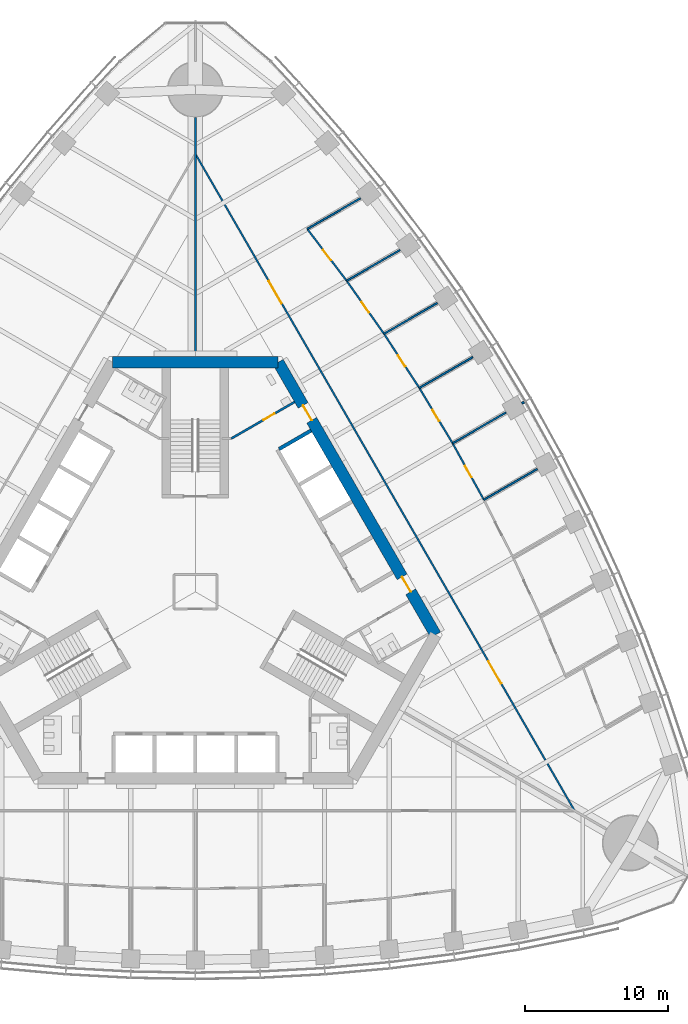
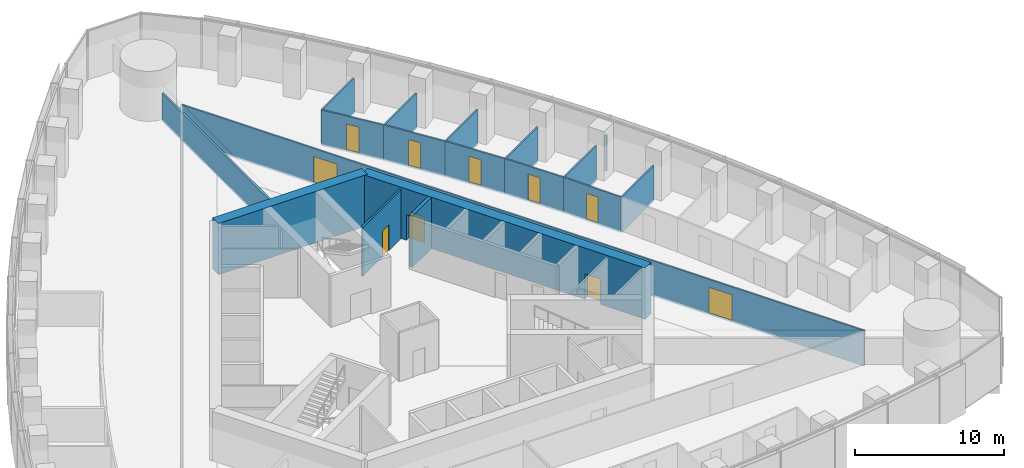
# One storey, part 15 of 21: 18 walls, 10 doors, 10 openings.
"""IFC4 building model written with IfcOpenShell, lengths in metres."""

import ifcopenshell
import ifcopenshell.guid

model = None  # the IFC model being written
_history = None  # IfcOwnerHistory: only IFC2X3 demands one
_inside = {}  # id of a spatial element -> (the spatial element, [elements in it])
_under = {}  # id of a project, library or spatial element -> (it, [spatial elements below it])
_declared = {}  # id of a project -> (the project, [libraries it declares])
_typed = {}  # id of a type object -> (the type object, [elements of that type])
_made_of = {}  # id of a material, layer set ... -> (it, [elements and type objects made of it])


def new_model(schema):
    """Start an empty IFC model of exactly this schema.

    Asked for "IFC4X3", IfcOpenShell would pick the latest addendum, in which some entities
    have other attributes; the version numbers below select the first issue.
    IFC2X3 requires an IfcOwnerHistory on every rooted entity: one is made here for all.
    """
    global model, _history
    if schema == "IFC4X3":
        model = ifcopenshell.file(schema_version=(4, 3, 0, 0))
    else:
        model = ifcopenshell.file(schema=schema)
    _inside.clear()
    _under.clear()
    _declared.clear()
    _typed.clear()
    _made_of.clear()
    _history = None
    if model.schema == "IFC2X3":
        org = make("IfcOrganization", Name="unknown")
        user = make(
            "IfcPersonAndOrganization",
            ThePerson=make("IfcPerson", FamilyName="unknown"),
            TheOrganization=org,
        )
        app = make(
            "IfcApplication",
            ApplicationDeveloper=org,
            Version="unknown",
            ApplicationFullName="unknown",
            ApplicationIdentifier="unknown",
        )
        _history = make(
            "IfcOwnerHistory",
            OwningUser=user,
            OwningApplication=app,
            ChangeAction="ADDED",
            CreationDate=0,
        )
    return model


def make(cls, **values):
    """One entity of the class cls with the attributes given. An attribute that is None is left unset."""
    return model.create_entity(
        cls, **{name: value for name, value in values.items() if value is not None}
    )


def rooted(cls, **values):
    """An entity with a GlobalId (a new one), such as an element, a storey or a relation."""
    return make(cls, GlobalId=ifcopenshell.guid.new(), OwnerHistory=_history, **values)


def si_unit(unit_type, name, prefix=None):
    """IfcSIUnit, for example si_unit("LENGTHUNIT", "METRE", prefix="MILLI")."""
    return make("IfcSIUnit", UnitType=unit_type, Prefix=prefix, Name=name)


def assignment(units):
    """IfcUnitAssignment: the units of a project."""
    return None if units is None else make("IfcUnitAssignment", Units=units)


def point(xyz):
    """IfcCartesianPoint."""
    return None if xyz is None else make("IfcCartesianPoint", Coordinates=xyz)


def direction(xyz):
    """IfcDirection."""
    return None if xyz is None else make("IfcDirection", DirectionRatios=xyz)


def frame(location, z_axis=None, x_axis=None):
    """IfcAxis2Placement3D, a coordinate frame: its origin and axes. An axis left out is left unset."""
    return make(
        "IfcAxis2Placement3D",
        Location=point(location),
        Axis=direction(z_axis),
        RefDirection=direction(x_axis),
    )


def frame_2d(location, x_axis=None):
    """IfcAxis2Placement2D, a coordinate frame in the plane: its origin and x axis."""
    return make(
        "IfcAxis2Placement2D", Location=point(location), RefDirection=direction(x_axis)
    )


def origin():
    """The frame at (0, 0, 0) with its axes left unset."""
    return frame((0.0, 0.0, 0.0))


def place(relative_to, where):
    """IfcLocalPlacement: puts the frame where relative to a parent placement (None: the world)."""
    return make(
        "IfcLocalPlacement", PlacementRelTo=relative_to, RelativePlacement=where
    )


def context(
    kind, dimensions, precision=None, world=None, true_north=None, identifier=None
):
    """IfcGeometricRepresentationContext, for example the 3D "Model" context."""
    return make(
        "IfcGeometricRepresentationContext",
        ContextIdentifier=identifier,
        ContextType=kind,
        CoordinateSpaceDimension=dimensions,
        Precision=precision,
        WorldCoordinateSystem=world,
        TrueNorth=true_north,
    )


def subcontext(parent, identifier, kind, view, scale=None):
    """IfcGeometricRepresentationSubContext, for example "Body" below "Model"."""
    return make(
        "IfcGeometricRepresentationSubContext",
        ContextIdentifier=identifier,
        ContextType=kind,
        ParentContext=parent,
        TargetScale=scale,
        TargetView=view,
    )


def project(units=None, contexts=None):
    """IfcProject with its units and contexts."""
    return rooted(
        "IfcProject",
        Name="project",
        RepresentationContexts=contexts,
        UnitsInContext=assignment(units),
    )


def spatial(cls, under=None, at=None, **own):
    """A site, building, storey or space (cls), placed at a placement, below another one or the project."""
    s = rooted(cls, ObjectPlacement=at, **own)
    if under is not None:
        _under.setdefault(under.id(), (under, []))[1].append(s)
    return s


def profile(cls, at=None, kind="AREA", **sizes):
    """A parametric profile (cls). Its sizes go by their IFC names, for example OverallWidth=200.0."""
    return make(cls, ProfileType=kind, Position=at, **sizes)


def rectangle(**sizes):
    """IfcRectangleProfileDef."""
    return profile("IfcRectangleProfileDef", **sizes)


def extrude(swept, where, along, depth):
    """IfcExtrudedAreaSolid: the profile swept, set in the frame where, extruded along a direction by depth."""
    return make(
        "IfcExtrudedAreaSolid",
        SweptArea=swept,
        Position=where,
        ExtrudedDirection=direction(along),
        Depth=depth,
    )


def shape(context_of_items, identifier, shape_type, items):
    """IfcShapeRepresentation: the items that make up one representation, for example the "Body"."""
    return make(
        "IfcShapeRepresentation",
        ContextOfItems=context_of_items,
        RepresentationIdentifier=identifier,
        RepresentationType=shape_type,
        Items=items,
    )


def material(Name=None, Category=None):
    """IfcMaterial."""
    return make("IfcMaterial", Name=Name, Category=Category)


def layer(
    of_material, thickness, ventilated=None, Name=None, Category=None, Priority=None
):
    """IfcMaterialLayer: one layer of a wall or slab, of a material (None: an air gap)."""
    return make(
        "IfcMaterialLayer",
        Material=of_material,
        LayerThickness=thickness,
        IsVentilated=ventilated,
        Name=Name,
        Category=Category,
        Priority=Priority,
    )


def layer_set(layers, Name=None):
    """IfcMaterialLayerSet."""
    return make("IfcMaterialLayerSet", MaterialLayers=layers, LayerSetName=Name)


def made_of(thing, what):
    """Note that an element or type object is made of a material, layer set ...; save() writes the relation."""
    if what is not None:
        _made_of.setdefault(what.id(), (what, []))[1].append(thing)
    return thing


def type_object(cls, material=None, **own):
    """A type object (cls), such as IfcWallType, which elements share."""
    return made_of(rooted(cls, **own), material)


def element(
    cls,
    number,
    at=None,
    inside=None,
    cuts=None,
    type_object=None,
    material=None,
    context=None,
    identifier="Body",
    shape_type=None,
    held_by="IfcProductDefinitionShape",
    body=None,
    shapes=None,
    **own,
):
    """One element of the class cls, such as IfcWall. Its Tag is "e" and its number.

    at: its placement. inside: the storey or other place that contains it. cuts: it is an
    opening in that element (IfcRelVoidsElement). A single representation is given by context,
    identifier, shape_type and body (its items); several are given by shapes. held_by: the class
    of the entity that holds the representations. save() writes the other relations.
    """
    e = rooted(cls, Tag="e%d" % number, ObjectPlacement=at, **own)
    if body is not None:
        shapes = [shape(context, identifier, shape_type, body)]
    if shapes is not None:
        e.Representation = make(held_by, Representations=shapes)
    if inside is not None:
        _inside.setdefault(inside.id(), (inside, []))[1].append(e)
    if cuts is not None:
        rooted(
            "IfcRelVoidsElement", RelatingBuildingElement=cuts, RelatedOpeningElement=e
        )
    if type_object is not None:
        _typed.setdefault(type_object.id(), (type_object, []))[1].append(e)
    return made_of(e, material)


def fill(opening, filler):
    """IfcRelFillsElement: the door or window that sits in an opening."""
    return rooted(
        "IfcRelFillsElement",
        RelatingOpeningElement=opening,
        RelatedBuildingElement=filler,
    )


def aggregate(whole, parts):
    """IfcRelAggregates: a whole, such as a stair, and the parts it consists of."""
    return rooted("IfcRelAggregates", RelatingObject=whole, RelatedObjects=parts)


def save(model, path):
    """Write the relations noted so far, then the file.

    IfcRelAggregates (storeys below a building ...), IfcRelContainedInSpatialStructure (elements
    in a storey), IfcRelDefinesByType, IfcRelAssociatesMaterial and IfcRelDeclares: one each for
    every whole, place, type object, material and project.
    """
    for whole, parts in _under.values():
        aggregate(whole, parts)
    for where, things in _inside.values():
        rooted(
            "IfcRelContainedInSpatialStructure",
            RelatedElements=things,
            RelatingStructure=where,
        )
    for kind, things in _typed.values():
        rooted("IfcRelDefinesByType", RelatedObjects=things, RelatingType=kind)
    for what, things in _made_of.values():
        rooted("IfcRelAssociatesMaterial", RelatedObjects=things, RelatingMaterial=what)
    for by, libraries in _declared.values():
        rooted("IfcRelDeclares", RelatingContext=by, RelatedDefinitions=libraries)
    model.write(path)


model = new_model("IFC4")

# Units and contexts
model_context = context("Model", 3, precision=1e-05, world=origin(), true_north=direction((0.0, 1.0)))
body_context = subcontext(model_context, "Body", "Model", "MODEL_VIEW")
ifc_project = project(units=[si_unit("LENGTHUNIT", "METRE"), si_unit("AREAUNIT", "SQUARE_METRE"), si_unit("VOLUMEUNIT", "CUBIC_METRE"), si_unit("PLANEANGLEUNIT", "RADIAN"), si_unit("MASSUNIT", "GRAM", prefix="KILO")], contexts=[model_context])

# Site, building, storey
site_placement = place(None, origin())
site = spatial("IfcSite", under=ifc_project, at=site_placement, CompositionType="ELEMENT")
building_placement = place(site_placement, origin())
building = spatial("IfcBuilding", under=site, at=building_placement, Name="Trefoil Bronze Tower", CompositionType="ELEMENT")
storey_placement = place(building_placement, frame((0.0, 0.0, 149.300048828125)))
storey = spatial("IfcBuildingStorey", under=building, at=storey_placement, Name="L34", CompositionType="ELEMENT", Elevation=149.300048828125)

# Wall, openings, doors
ifc_material_1 = material(Name="Concrete B80", Category="concrete")
ifc_layer_1 = layer(ifc_material_1, 0.800048828125)
ifc_layer_set_1 = layer_set([ifc_layer_1], Name="Core wall 800")
wall_type_1 = type_object("IfcWallType", Name="Core wall 800", PredefinedType="SHEAR", material=ifc_layer_set_1)
wall_1_placement = place(storey_placement, frame((16.7431640625, -3.0, 0.0), z_axis=(0.0, 0.0, 1.0), x_axis=(-0.500002442456, 0.866023993627, 0.0)))
wall_1 = element("IfcWall", 1, at=wall_1_placement, inside=storey, type_object=wall_type_1, Name="Core long wall 2 L34", PredefinedType="SHEAR", context=body_context, shape_type="SweptSolid", body=[
    extrude(rectangle(XDim=21.939453125, YDim=0.800048828125, at=frame_2d((10.9697265625, 0.0))), origin(), (0.0, 0.0, 1.0), 4.199951171875),
])
opening_1_placement = place(wall_1_placement, frame((17.269775390625, 0.0, 0.0)))
opening_1 = element("IfcOpeningElement", 2, at=opening_1_placement, cuts=wall_1, Name="Opening D2", PredefinedType="OPENING", context=body_context, shape_type="SweptSolid", body=[
    extrude(rectangle(XDim=1.199951171875, YDim=2.10009765625, at=frame_2d((0.60009765625, 1.050048828125))), frame((0.0, 0.409912109375, 0.0), z_axis=(0.0, -1.0, 0.0), x_axis=(1.0, 0.0, 0.0)), (0.0, 0.0, 1.0), 0.820068359375),
])
opening_2_placement = place(wall_1_placement, frame((3.4697265625, 0.0, 0.0)))
opening_2 = element("IfcOpeningElement", 3, at=opening_2_placement, cuts=wall_1, Name="Opening D2", PredefinedType="OPENING", context=body_context, shape_type="SweptSolid", body=[
    extrude(rectangle(XDim=1.199951171875, YDim=2.10009765625, at=frame_2d((0.60009765625, 1.050048828125))), frame((0.0, 0.409912109375, 0.0), z_axis=(0.0, -1.0, 0.0), x_axis=(1.0, 0.0, 0.0)), (0.0, 0.0, 1.0), 0.820068359375),
])
ifc_material_2 = material(Name="Steel door", Category="steel")
door_type_1 = type_object("IfcDoorType", Name="Lobby door 1200", OperationType="SINGLE_SWING_RIGHT", PredefinedType="DOOR", material=ifc_material_2)
door_1_placement = place(opening_1_placement, origin())
door_1 = element("IfcDoor", 4, at=door_1_placement, inside=storey, type_object=door_type_1, Name="Lobby door F2+ L34", OperationType="SINGLE_SWING_RIGHT", OverallHeight=2.10009765625, OverallWidth=1.199951171875, PredefinedType="DOOR", context=body_context, shape_type="SweptSolid", body=[
    extrude(rectangle(XDim=1.199951171875, YDim=2.10009765625, at=frame_2d((0.60009765625, 1.050048828125))), frame((0.0, 0.02490234375, 0.0), z_axis=(0.0, -1.0, 0.0), x_axis=(1.0, 0.0, 0.0)), (0.0, 0.0, 1.0), 0.050048828125),
])
fill(opening_1, door_1)
door_2_placement = place(opening_2_placement, origin())
door_2 = element("IfcDoor", 5, at=door_2_placement, inside=storey, type_object=door_type_1, Name="Lobby door F2- L34", OperationType="SINGLE_SWING_LEFT", OverallHeight=2.10009765625, OverallWidth=1.199951171875, PredefinedType="DOOR", context=body_context, shape_type="SweptSolid", body=[
    extrude(rectangle(XDim=1.199951171875, YDim=2.10009765625, at=frame_2d((0.60009765625, 1.050048828125))), frame((0.0, 0.02490234375, 0.0), z_axis=(0.0, -1.0, 0.0), x_axis=(1.0, 0.0, 0.0)), (0.0, 0.0, 1.0), 0.050048828125),
])
fill(opening_2, door_2)

# Wall
wall_2_placement = place(storey_placement, frame((5.7734375, 16.0, 0.0), z_axis=(0.0, 0.0, 1.0), x_axis=(-1.0, 0.0, 0.0)))
element("IfcWall", 6, at=wall_2_placement, inside=storey, type_object=wall_type_1, Name="Core short wall 2 L34", PredefinedType="SHEAR", context=body_context, shape_type="SweptSolid", body=[
    extrude(rectangle(XDim=11.546875, YDim=0.800048828125, at=frame_2d((5.7734375, 0.0))), origin(), (0.0, 0.0, 1.0), 4.199951171875),
])

# Wall, openings, doors
ifc_material_3 = material(Name="Glazed partition", Category="glass")
ifc_layer_2 = layer(ifc_material_3, 0.1201171875)
ifc_layer_set_2 = layer_set([ifc_layer_2], Name="Glazed partition 120")
wall_type_2 = type_object("IfcWallType", Name="Glazed partition 120", PredefinedType="PARTITIONING", material=ifc_layer_set_2)
wall_3_placement = place(storey_placement, frame((26.41455078125, -15.2314453125, 0.0), z_axis=(0.0, 0.0, 1.0), x_axis=(-0.50000091641, 0.866024874695, 0.0)))
wall_3 = element("IfcWall", 7, at=wall_3_placement, inside=storey, type_object=wall_type_2, Name="Partition F2 L34", PredefinedType="PARTITIONING", context=body_context, shape_type="SweptSolid", body=[
    extrude(rectangle(XDim=52.79638671875, YDim=0.1201171875, at=frame_2d((26.398193359375, 0.0))), origin(), (0.0, 0.0, 1.0), 2.89990234375),
])
opening_3_placement = place(wall_3_placement, frame((10.199951171875, 0.0, 0.14990234375)))
opening_3 = element("IfcOpeningElement", 8, at=opening_3_placement, cuts=wall_3, Name="Opening D10", PredefinedType="OPENING", context=body_context, shape_type="SweptSolid", body=[
    extrude(rectangle(XDim=1.800048828125, YDim=2.10009765625, at=frame_2d((0.89990234375, 1.050048828125))), frame((0.0, 0.070068359375, 0.0), z_axis=(0.0, -1.0, 0.0), x_axis=(1.0, 0.0, 0.0)), (0.0, 0.0, 1.0), 0.14013671875),
])
opening_4_placement = place(wall_3_placement, frame((40.800048828125, 0.0, 0.14990234375)))
opening_4 = element("IfcOpeningElement", 9, at=opening_4_placement, cuts=wall_3, Name="Opening D10", PredefinedType="OPENING", context=body_context, shape_type="SweptSolid", body=[
    extrude(rectangle(XDim=1.800048828125, YDim=2.10009765625, at=frame_2d((0.89990234375, 1.050048828125))), frame((0.0, 0.070068359375, 0.0), z_axis=(0.0, -1.0, 0.0), x_axis=(1.0, 0.0, 0.0)), (0.0, 0.0, 1.0), 0.14013671875),
])
ifc_material_4 = material(Name="Timber door", Category="wood")
door_type_2 = type_object("IfcDoorType", Name="Double door 1800", OperationType="DOUBLE_DOOR_SINGLE_SWING", PredefinedType="DOOR", material=ifc_material_4)
door_3_placement = place(opening_3_placement, origin())
door_3 = element("IfcDoor", 10, at=door_3_placement, inside=storey, type_object=door_type_2, Name="Corridor door F2 L34", OperationType="DOUBLE_DOOR_SINGLE_SWING", OverallHeight=2.10009765625, OverallWidth=1.800048828125, PredefinedType="DOOR", context=body_context, shape_type="SweptSolid", body=[
    extrude(rectangle(XDim=1.800048828125, YDim=2.10009765625, at=frame_2d((0.89990234375, 1.050048828125))), frame((0.0, 0.02490234375, 0.0), z_axis=(0.0, -1.0, 0.0), x_axis=(1.0, 0.0, 0.0)), (0.0, 0.0, 1.0), 0.050048828125),
])
fill(opening_3, door_3)
door_4_placement = place(opening_4_placement, origin())
door_4 = element("IfcDoor", 11, at=door_4_placement, inside=storey, type_object=door_type_2, Name="Corridor door F2 L34", OperationType="DOUBLE_DOOR_SINGLE_SWING", OverallHeight=2.10009765625, OverallWidth=1.800048828125, PredefinedType="DOOR", context=body_context, shape_type="SweptSolid", body=[
    extrude(rectangle(XDim=1.800048828125, YDim=2.10009765625, at=frame_2d((0.89990234375, 1.050048828125))), frame((0.0, 0.02490234375, 0.0), z_axis=(0.0, -1.0, 0.0), x_axis=(1.0, 0.0, 0.0)), (0.0, 0.0, 1.0), 0.050048828125),
])
fill(opening_4, door_4)

# Wall, opening, door
wall_4_placement = place(storey_placement, frame((17.926513671875, 10.349853515625, 0.0), z_axis=(0.0, 0.0, 1.0), x_axis=(-0.515548366618, 0.856860479703, 0.0)))
wall_4 = element("IfcWall", 12, at=wall_4_placement, inside=storey, type_object=wall_type_2, Name="Partition F2 L34", PredefinedType="PARTITIONING", context=body_context, shape_type="SweptSolid", body=[
    extrude(rectangle(XDim=4.500732421875, YDim=0.1201171875, at=frame_2d((2.25048828125, 0.0))), origin(), (0.0, 0.0, 1.0), 2.89990234375),
])
opening_5_placement = place(wall_4_placement, frame((1.800048828125, 0.0, 0.14990234375)))
opening_5 = element("IfcOpeningElement", 13, at=opening_5_placement, cuts=wall_4, Name="Opening D8", PredefinedType="OPENING", context=body_context, shape_type="SweptSolid", body=[
    extrude(rectangle(XDim=0.89990234375, YDim=2.10009765625, at=frame_2d((0.449951171875, 1.050048828125))), frame((0.0, 0.070068359375, 0.0), z_axis=(0.0, -1.0, 0.0), x_axis=(1.0, 0.0, 0.0)), (0.0, 0.0, 1.0), 0.14013671875),
])
ifc_material_5 = material(Name="Timber door", Category="wood")
door_type_3 = type_object("IfcDoorType", Name="Office door 900", OperationType="SINGLE_SWING_LEFT", PredefinedType="DOOR", material=ifc_material_5)
door_5_placement = place(opening_5_placement, frame((0.89990234375, 0.0, 0.0), z_axis=(0.0, 0.0, 1.0), x_axis=(-1.0, 0.0, 0.0)))
door_5 = element("IfcDoor", 14, at=door_5_placement, inside=storey, type_object=door_type_3, Name="Office door F2 L34", OperationType="SINGLE_SWING_RIGHT", OverallHeight=2.10009765625, OverallWidth=0.89990234375, PredefinedType="DOOR", context=body_context, shape_type="SweptSolid", body=[
    extrude(rectangle(XDim=0.89990234375, YDim=2.10009765625, at=frame_2d((0.449951171875, 1.050048828125))), frame((0.0, 0.02490234375, 0.0), z_axis=(0.0, -1.0, 0.0), x_axis=(1.0, 0.0, 0.0)), (0.0, 0.0, 1.0), 0.050048828125),
])
fill(opening_5, door_5)

wall_5_placement = place(storey_placement, frame((10.542724609375, 21.67529296875, 0.0), z_axis=(0.0, 0.0, 1.0), x_axis=(-0.605274299339, 0.796016973789, 0.0)))
wall_5 = element("IfcWall", 15, at=wall_5_placement, inside=storey, type_object=wall_type_2, Name="Partition F2 L34", PredefinedType="PARTITIONING", context=body_context, shape_type="SweptSolid", body=[
    extrude(rectangle(XDim=4.5361328125, YDim=0.1201171875, at=frame_2d((2.26806640625, 0.0))), origin(), (0.0, 0.0, 1.0), 2.89990234375),
])
opening_6_placement = place(wall_5_placement, frame((1.800048828125, 0.0, 0.14990234375)))
opening_6 = element("IfcOpeningElement", 16, at=opening_6_placement, cuts=wall_5, Name="Opening D8", PredefinedType="OPENING", context=body_context, shape_type="SweptSolid", body=[
    extrude(rectangle(XDim=0.89990234375, YDim=2.10009765625, at=frame_2d((0.449951171875, 1.050048828125))), frame((0.0, 0.070068359375, 0.0), z_axis=(0.0, -1.0, 0.0), x_axis=(1.0, 0.0, 0.0)), (0.0, 0.0, 1.0), 0.14013671875),
])
door_6_placement = place(opening_6_placement, frame((0.89990234375, 0.0, 0.0), z_axis=(0.0, 0.0, 1.0), x_axis=(-1.0, 0.0, 0.0)))
door_6 = element("IfcDoor", 17, at=door_6_placement, inside=storey, type_object=door_type_3, Name="Office door F2 L34", OperationType="SINGLE_SWING_RIGHT", OverallHeight=2.10009765625, OverallWidth=0.89990234375, PredefinedType="DOOR", context=body_context, shape_type="SweptSolid", body=[
    extrude(rectangle(XDim=0.89990234375, YDim=2.10009765625, at=frame_2d((0.449951171875, 1.050048828125))), frame((0.0, 0.02490234375, 0.0), z_axis=(0.0, -1.0, 0.0), x_axis=(1.0, 0.0, 0.0)), (0.0, 0.0, 1.0), 0.050048828125),
])
fill(opening_6, door_6)

wall_6_placement = place(storey_placement, frame((15.606201171875, 14.206298828125, 0.0), z_axis=(0.0, 0.0, 1.0), x_axis=(-0.546069464151, 0.837739900161, 0.0)))
wall_6 = element("IfcWall", 18, at=wall_6_placement, inside=storey, type_object=wall_type_2, Name="Partition F2 L34", PredefinedType="PARTITIONING", context=body_context, shape_type="SweptSolid", body=[
    extrude(rectangle(XDim=4.506591796875, YDim=0.1201171875, at=frame_2d((2.25341796875, 0.0))), origin(), (0.0, 0.0, 1.0), 2.89990234375),
])
opening_7_placement = place(wall_6_placement, frame((1.800048828125, 0.0, 0.14990234375)))
opening_7 = element("IfcOpeningElement", 19, at=opening_7_placement, cuts=wall_6, Name="Opening D8", PredefinedType="OPENING", context=body_context, shape_type="SweptSolid", body=[
    extrude(rectangle(XDim=0.89990234375, YDim=2.10009765625, at=frame_2d((0.449951171875, 1.050048828125))), frame((0.0, 0.070068359375, 0.0), z_axis=(0.0, -1.0, 0.0), x_axis=(1.0, 0.0, 0.0)), (0.0, 0.0, 1.0), 0.14013671875),
])
door_7_placement = place(opening_7_placement, frame((0.89990234375, 0.0, 0.0), z_axis=(0.0, 0.0, 1.0), x_axis=(-1.0, 0.0, 0.0)))
door_7 = element("IfcDoor", 20, at=door_7_placement, inside=storey, type_object=door_type_3, Name="Office door F2 L34", OperationType="SINGLE_SWING_RIGHT", OverallHeight=2.10009765625, OverallWidth=0.89990234375, PredefinedType="DOOR", context=body_context, shape_type="SweptSolid", body=[
    extrude(rectangle(XDim=0.89990234375, YDim=2.10009765625, at=frame_2d((0.449951171875, 1.050048828125))), frame((0.0, 0.02490234375, 0.0), z_axis=(0.0, -1.0, 0.0), x_axis=(1.0, 0.0, 0.0)), (0.0, 0.0, 1.0), 0.050048828125),
])
fill(opening_7, door_7)

wall_7_placement = place(storey_placement, frame((13.145263671875, 17.981689453125, 0.0), z_axis=(0.0, 0.0, 1.0), x_axis=(-0.575987178736, 0.817458726745, 0.0)))
wall_7 = element("IfcWall", 21, at=wall_7_placement, inside=storey, type_object=wall_type_2, Name="Partition F2 L34", PredefinedType="PARTITIONING", context=body_context, shape_type="SweptSolid", body=[
    extrude(rectangle(XDim=4.518310546875, YDim=0.1201171875, at=frame_2d((2.25927734375, 0.0))), origin(), (0.0, 0.0, 1.0), 2.89990234375),
])
opening_8_placement = place(wall_7_placement, frame((1.800048828125, 0.0, 0.14990234375)))
opening_8 = element("IfcOpeningElement", 22, at=opening_8_placement, cuts=wall_7, Name="Opening D8", PredefinedType="OPENING", context=body_context, shape_type="SweptSolid", body=[
    extrude(rectangle(XDim=0.89990234375, YDim=2.10009765625, at=frame_2d((0.449951171875, 1.050048828125))), frame((0.0, 0.070068359375, 0.0), z_axis=(0.0, -1.0, 0.0), x_axis=(1.0, 0.0, 0.0)), (0.0, 0.0, 1.0), 0.14013671875),
])
door_8_placement = place(opening_8_placement, frame((0.89990234375, 0.0, 0.0), z_axis=(0.0, 0.0, 1.0), x_axis=(-1.0, 0.0, 0.0)))
door_8 = element("IfcDoor", 23, at=door_8_placement, inside=storey, type_object=door_type_3, Name="Office door F2 L34", OperationType="SINGLE_SWING_RIGHT", OverallHeight=2.10009765625, OverallWidth=0.89990234375, PredefinedType="DOOR", context=body_context, shape_type="SweptSolid", body=[
    extrude(rectangle(XDim=0.89990234375, YDim=2.10009765625, at=frame_2d((0.449951171875, 1.050048828125))), frame((0.0, 0.02490234375, 0.0), z_axis=(0.0, -1.0, 0.0), x_axis=(1.0, 0.0, 0.0)), (0.0, 0.0, 1.0), 0.050048828125),
])
fill(opening_8, door_8)

wall_8_placement = place(storey_placement, frame((20.106201171875, 6.412109375, 0.0), z_axis=(0.0, 0.0, 1.0), x_axis=(-0.484292898211, 0.874905931368, 0.0)))
wall_8 = element("IfcWall", 24, at=wall_8_placement, inside=storey, type_object=wall_type_2, Name="Partition F2 L34", PredefinedType="PARTITIONING", context=body_context, shape_type="SweptSolid", body=[
    extrude(rectangle(XDim=4.500732421875, YDim=0.1201171875, at=frame_2d((2.25048828125, 0.0))), origin(), (0.0, 0.0, 1.0), 2.89990234375),
])
opening_9_placement = place(wall_8_placement, frame((1.800048828125, 0.0, 0.14990234375)))
opening_9 = element("IfcOpeningElement", 25, at=opening_9_placement, cuts=wall_8, Name="Opening D8", PredefinedType="OPENING", context=body_context, shape_type="SweptSolid", body=[
    extrude(rectangle(XDim=0.89990234375, YDim=2.10009765625, at=frame_2d((0.449951171875, 1.050048828125))), frame((0.0, 0.070068359375, 0.0), z_axis=(0.0, -1.0, 0.0), x_axis=(1.0, 0.0, 0.0)), (0.0, 0.0, 1.0), 0.14013671875),
])
door_9_placement = place(opening_9_placement, frame((0.89990234375, 0.0, 0.0), z_axis=(0.0, 0.0, 1.0), x_axis=(-1.0, 0.0, 0.0)))
door_9 = element("IfcDoor", 26, at=door_9_placement, inside=storey, type_object=door_type_3, Name="Office door F2 L34", OperationType="SINGLE_SWING_RIGHT", OverallHeight=2.10009765625, OverallWidth=0.89990234375, PredefinedType="DOOR", context=body_context, shape_type="SweptSolid", body=[
    extrude(rectangle(XDim=0.89990234375, YDim=2.10009765625, at=frame_2d((0.449951171875, 1.050048828125))), frame((0.0, 0.02490234375, 0.0), z_axis=(0.0, -1.0, 0.0), x_axis=(1.0, 0.0, 0.0)), (0.0, 0.0, 1.0), 0.050048828125),
])
fill(opening_9, door_9)

# Walls
wall_9_placement = place(storey_placement, frame((17.926513671875, 10.349853515625, 0.0), z_axis=(0.0, 0.0, 1.0), x_axis=(0.866023714033, 0.500002926724, 0.0)))
element("IfcWall", 27, at=wall_9_placement, inside=storey, type_object=wall_type_2, Name="Partition F2 L34", PredefinedType="PARTITIONING", context=body_context, shape_type="SweptSolid", body=[
    extrude(rectangle(XDim=4.294921875, YDim=0.1201171875, at=frame_2d((2.1474609375, 0.0))), origin(), (0.0, 0.0, 1.0), 2.89990234375),
])
wall_10_placement = place(storey_placement, frame((10.542724609375, 21.67529296875, 0.0), z_axis=(0.0, 0.0, 1.0), x_axis=(0.866040468838, 0.499973905654, 0.0)))
element("IfcWall", 28, at=wall_10_placement, inside=storey, type_object=wall_type_2, Name="Partition F2 L34", PredefinedType="PARTITIONING", context=body_context, shape_type="SweptSolid", body=[
    extrude(rectangle(XDim=4.286376953125, YDim=0.1201171875, at=frame_2d((2.14306640625, 0.0))), origin(), (0.0, 0.0, 1.0), 2.89990234375),
])
wall_11_placement = place(storey_placement, frame((7.797119140625, 25.2861328125, 0.0), z_axis=(0.0, 0.0, 1.0), x_axis=(0.866019337872, 0.500010506321, 0.0)))
element("IfcWall", 29, at=wall_11_placement, inside=storey, type_object=wall_type_2, Name="Partition F2 L34", PredefinedType="PARTITIONING", context=body_context, shape_type="SweptSolid", body=[
    extrude(rectangle(XDim=4.27978515625, YDim=0.1201171875, at=frame_2d((2.139892578125, 0.0))), origin(), (0.0, 0.0, 1.0), 2.89990234375),
])
wall_12_placement = place(storey_placement, frame((15.606201171875, 14.206298828125, 0.0), z_axis=(0.0, 0.0, 1.0), x_axis=(0.866005690956, 0.500034142066, 0.0)))
element("IfcWall", 30, at=wall_12_placement, inside=storey, type_object=wall_type_2, Name="Partition F2 L34", PredefinedType="PARTITIONING", context=body_context, shape_type="SweptSolid", body=[
    extrude(rectangle(XDim=4.294189453125, YDim=0.1201171875, at=frame_2d((2.14697265625, 0.0))), origin(), (0.0, 0.0, 1.0), 2.89990234375),
])
wall_13_placement = place(storey_placement, frame((13.145263671875, 17.981689453125, 0.0), z_axis=(0.0, 0.0, 1.0), x_axis=(0.866035893414, 0.499981830989, 0.0)))
element("IfcWall", 31, at=wall_13_placement, inside=storey, type_object=wall_type_2, Name="Partition F2 L34", PredefinedType="PARTITIONING", context=body_context, shape_type="SweptSolid", body=[
    extrude(rectangle(XDim=4.291259765625, YDim=0.1201171875, at=frame_2d((2.1455078125, 0.0))), origin(), (0.0, 0.0, 1.0), 2.89990234375),
])
wall_14_placement = place(storey_placement, frame((20.106201171875, 6.412109375, 0.0), z_axis=(0.0, 0.0, 1.0), x_axis=(0.866030310389, 0.499991501415, 0.0)))
element("IfcWall", 32, at=wall_14_placement, inside=storey, type_object=wall_type_2, Name="Partition F2 L34", PredefinedType="PARTITIONING", context=body_context, shape_type="SweptSolid", body=[
    extrude(rectangle(XDim=4.2939453125, YDim=0.1201171875, at=frame_2d((2.14697265625, 0.0))), origin(), (0.0, 0.0, 1.0), 2.89990234375),
])

# Wall, opening, door
ifc_material_6 = material(Name="Gypsum board on steel studs", Category="steel")
ifc_layer_3 = layer(ifc_material_6, 0.14990234375)
ifc_layer_set_3 = layer_set([ifc_layer_3], Name="Partition 150")
wall_type_3 = type_object("IfcWallType", Name="Partition 150", PredefinedType="PARTITIONING", material=ifc_layer_set_3)
wall_15_placement = place(storey_placement, frame((2.4951171875, 10.67822265625, 0.0), z_axis=(0.0, 0.0, 1.0), x_axis=(0.86602216432, 0.500005610874, 0.0)))
wall_15 = element("IfcWall", 33, at=wall_15_placement, inside=storey, type_object=wall_type_3, Name="Passage wall F2+ L34", PredefinedType="PARTITIONING", context=body_context, shape_type="SweptSolid", body=[
    extrude(rectangle(XDim=5.10009765625, YDim=0.14990234375, at=frame_2d((2.550048828125, 0.0))), origin(), (0.0, 0.0, 1.0), 4.0),
])
opening_10_placement = place(wall_15_placement, frame((2.60009765625, 0.0, 0.0)))
opening_10 = element("IfcOpeningElement", 34, at=opening_10_placement, cuts=wall_15, Name="Opening D3", PredefinedType="OPENING", context=body_context, shape_type="SweptSolid", body=[
    extrude(rectangle(XDim=0.89990234375, YDim=2.10009765625, at=frame_2d((0.449951171875, 1.050048828125))), frame((0.0, 0.0849609375, 0.0), z_axis=(0.0, -1.0, 0.0), x_axis=(1.0, 0.0, 0.0)), (0.0, 0.0, 1.0), 0.169921875),
])
ifc_material_7 = material(Name="Timber door", Category="wood")
door_type_4 = type_object("IfcDoorType", Name="WC door 900", OperationType="SINGLE_SWING_LEFT", PredefinedType="DOOR", material=ifc_material_7)
door_10_placement = place(opening_10_placement, origin())
door_10 = element("IfcDoor", 35, at=door_10_placement, inside=storey, type_object=door_type_4, Name="Accessible WC door L34", OperationType="SINGLE_SWING_RIGHT", OverallHeight=2.10009765625, OverallWidth=0.89990234375, PredefinedType="DOOR", context=body_context, shape_type="SweptSolid", body=[
    extrude(rectangle(XDim=0.89990234375, YDim=2.10009765625, at=frame_2d((0.449951171875, 1.050048828125))), frame((0.0, 0.02490234375, 0.0), z_axis=(0.0, -1.0, 0.0), x_axis=(1.0, 0.0, 0.0)), (0.0, 0.0, 1.0), 0.050048828125),
])
fill(opening_10, door_10)

# Walls
wall_16_placement = place(storey_placement, frame((22.758056640625, 13.139404296875, 0.0), z_axis=(0.0, 0.0, 1.0), x_axis=(0.866063163075, 0.499934593286, 0.0)))
element("IfcWall", 36, at=wall_16_placement, inside=storey, type_object=wall_type_3, Name="Partition F2 L34", PredefinedType="PARTITIONING", context=body_context, shape_type="SweptSolid", body=[
    extrude(rectangle(XDim=0.166015625, YDim=0.14990234375, at=frame_2d((0.0830078125, 0.0))), origin(), (0.0, 0.0, 1.0), 2.89990234375),
])
ifc_material_8 = material(Name="Gypsum board on steel studs", Category="steel")
ifc_layer_4 = layer(ifc_material_8, 0.14990234375)
ifc_layer_set_4 = layer_set([ifc_layer_4], Name="Party wall 150")
wall_type_4 = type_object("IfcWallType", Name="Party wall 150", PredefinedType="PARTITIONING", material=ifc_layer_set_4)
wall_17_placement = place(storey_placement, frame((0.0, 16.39990234375, 0.0), z_axis=(0.0, 0.0, 1.0), x_axis=(0.0, 1.0, 0.0)))
element("IfcWall", 37, at=wall_17_placement, inside=storey, type_object=wall_type_4, Name="Party wall K2 L34", PredefinedType="PARTITIONING", context=body_context, shape_type="SweptSolid", body=[
    extrude(rectangle(XDim=16.650146484375, YDim=0.14990234375, at=frame_2d((8.3251953125, 0.0))), origin(), (0.0, 0.0, 1.0), 2.300048828125),
])
ifc_material_9 = material(Name="Concrete B80", Category="concrete")
ifc_layer_5 = layer(ifc_material_9, 0.25)
ifc_layer_set_5 = layer_set([ifc_layer_5], Name="Shaft wall 250")
wall_type_5 = type_object("IfcWallType", Name="Shaft wall 250", PredefinedType="SHEAR", material=ifc_layer_set_5)
wall_18_placement = place(storey_placement, frame((5.831787109375, 9.94873046875, 0.0), z_axis=(0.0, 0.0, 1.0), x_axis=(0.866029291668, 0.499993265928, 0.0)))
element("IfcWall", 38, at=wall_18_placement, inside=storey, type_object=wall_type_5, Name="Lift shaft side wall B4 L34", PredefinedType="SHEAR", context=body_context, shape_type="SweptSolid", body=[
    extrude(rectangle(XDim=2.5751953125, YDim=0.25, at=frame_2d((1.28759765625, 0.0))), origin(), (0.0, 0.0, 1.0), 4.199951171875),
])

save(model, "model.ifc")
